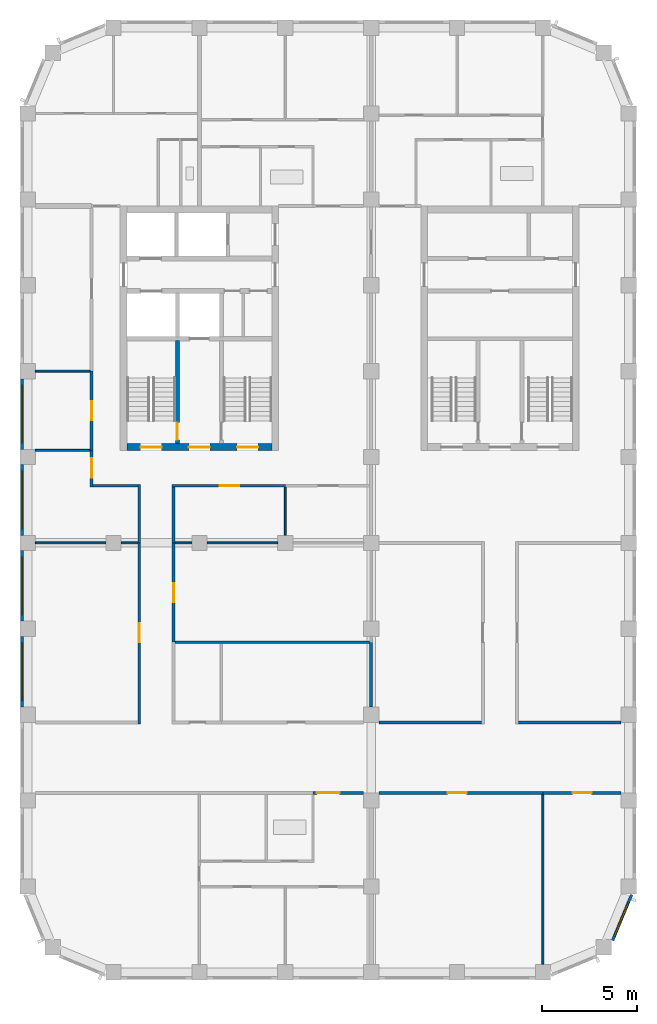
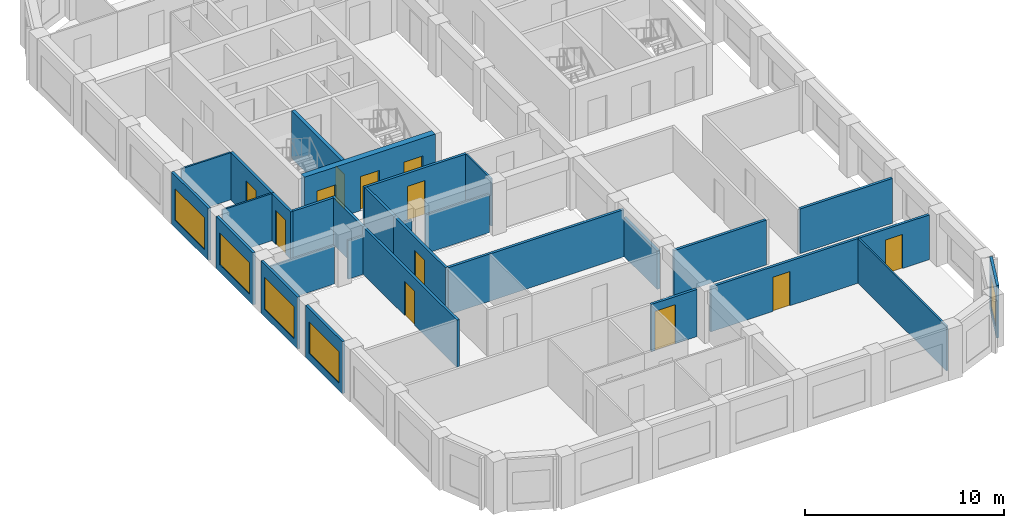
# One storey, part 3 of 9: 30 walls, 12 doors, 5 windows, 17 openings.
"""IFC4 building model written with IfcOpenShell, lengths in metres."""

from ifc_helpers import new_model, si_unit, direction, frame, frame_2d, origin, place, context, subcontext, project, spatial, rectangle, extrude, material, layer, layer_set, type_object, element, fill, save


model = new_model("IFC4")

# Units and contexts
model_context = context("Model", 3, precision=1e-05, world=origin(), true_north=direction((0.0, 1.0)))
body_context = subcontext(model_context, "Body", "Model", "MODEL_VIEW")
ifc_project = project(units=[si_unit("LENGTHUNIT", "METRE"), si_unit("AREAUNIT", "SQUARE_METRE"), si_unit("VOLUMEUNIT", "CUBIC_METRE"), si_unit("PLANEANGLEUNIT", "RADIAN"), si_unit("MASSUNIT", "GRAM", prefix="KILO")], contexts=[model_context])

# Site, building, storey
site_placement = place(None, origin())
site = spatial("IfcSite", under=ifc_project, at=site_placement, CompositionType="ELEMENT")
building_placement = place(site_placement, origin())
building = spatial("IfcBuilding", under=site, at=building_placement, Name="Girih Gate Residences", CompositionType="ELEMENT")
storey_placement = place(building_placement, frame((0.0, 0.0, 206.89501953125)))
storey = spatial("IfcBuildingStorey", under=building, at=storey_placement, Name="L57", CompositionType="ELEMENT", Elevation=206.89501953125)

# Wall, opening, door
ifc_material_1 = material(Name="Gypsum board on steel studs", Category="steel")
ifc_layer_1 = layer(ifc_material_1, 0.14990234375)
ifc_layer_set_1 = layer_set([ifc_layer_1], Name="Compartment wall 150 mm")
wall_type_1 = type_object("IfcWallType", Name="Compartment wall 150 mm", PredefinedType="PARTITIONING", material=ifc_layer_set_1)
wall_1_placement = place(storey_placement, frame((17.60009765625, 9.39990234375, 0.0), z_axis=(0.0, 0.0, 1.0), x_axis=(-1.0, 0.0, 0.0)))
wall_1 = element("IfcWall", 1, at=wall_1_placement, inside=storey, type_object=wall_type_1, Name="L57 partition", PredefinedType="PARTITIONING", context=body_context, shape_type="SweptSolid", body=[
    extrude(rectangle(XDim=2.650146484375, YDim=0.14990234375, at=frame_2d((1.3251953125, 0.0))), origin(), (0.0, 0.0, 1.0), 2.89990234375),
])
opening_1_placement = place(wall_1_placement, frame((1.25, 0.0, 0.0)))
opening_1 = element("IfcOpeningElement", 2, at=opening_1_placement, cuts=wall_1, Name="Opening A57-006", PredefinedType="OPENING", context=body_context, shape_type="SweptSolid", body=[
    extrude(rectangle(XDim=1.199951171875, YDim=2.39990234375, at=frame_2d((0.60009765625, 1.199951171875))), frame((0.0, 0.0849609375, 0.0), z_axis=(0.0, -1.0, 0.0), x_axis=(1.0, 0.0, 0.0)), (0.0, 0.0, 1.0), 0.169921875),
])
ifc_material_2 = material(Name="Timber, fire-rated core", Category="wood")
door_type_1 = type_object("IfcDoorType", Name="Villa entrance door 1200x2400 FD30S", OperationType="NOTDEFINED", PredefinedType="DOOR", material=ifc_material_2)
door_1_placement = place(opening_1_placement, origin())
door_1 = element("IfcDoor", 3, at=door_1_placement, inside=storey, type_object=door_type_1, Name="Door A57-006", OperationType="SINGLE_SWING_RIGHT", OverallHeight=2.39990234375, OverallWidth=1.199951171875, PredefinedType="DOOR", context=body_context, shape_type="SweptSolid", body=[
    extrude(rectangle(XDim=1.199951171875, YDim=2.39990234375, at=frame_2d((0.60009765625, 1.199951171875))), frame((0.0, 0.02490234375, 0.0), z_axis=(0.0, -1.0, 0.0), x_axis=(1.0, 0.0, 0.0)), (0.0, 0.0, 1.0), 0.050048828125),
])
fill(opening_1, door_1)

wall_2_placement = place(storey_placement, frame((7.64990234375, 22.5, 0.0), z_axis=(0.0, 0.0, 1.0), x_axis=(0.0, -1.0, 0.0)))
wall_2 = element("IfcWall", 4, at=wall_2_placement, inside=storey, type_object=wall_type_1, Name="L57 partition", PredefinedType="PARTITIONING", context=body_context, shape_type="SweptSolid", body=[
    extrude(rectangle(XDim=5.199951171875, YDim=0.14990234375, at=frame_2d((2.60009765625, 0.0))), origin(), (0.0, 0.0, 1.0), 2.89990234375),
])
opening_2_placement = place(wall_2_placement, frame((2.10009765625, 0.0, 0.0)))
opening_2 = element("IfcOpeningElement", 5, at=opening_2_placement, cuts=wall_2, Name="Opening A57-023", PredefinedType="OPENING", context=body_context, shape_type="SweptSolid", body=[
    extrude(rectangle(XDim=1.0, YDim=2.10009765625, at=frame_2d((0.5, 1.050048828125))), frame((0.0, 0.0849609375, 0.0), z_axis=(0.0, -1.0, 0.0), x_axis=(1.0, 0.0, 0.0)), (0.0, 0.0, 1.0), 0.169921875),
])
door_type_2 = type_object("IfcDoorType", Name="Amenity room door 1000x2100 FD30S", OperationType="NOTDEFINED", PredefinedType="DOOR", material=ifc_material_2)
door_2_placement = place(opening_2_placement, origin())
door_2 = element("IfcDoor", 6, at=door_2_placement, inside=storey, type_object=door_type_2, Name="Door A57-023", OperationType="SINGLE_SWING_RIGHT", OverallHeight=2.10009765625, OverallWidth=1.0, PredefinedType="DOOR", context=body_context, shape_type="SweptSolid", body=[
    extrude(rectangle(XDim=1.0, YDim=2.10009765625, at=frame_2d((0.5, 1.050048828125))), frame((0.0, 0.02490234375, 0.0), z_axis=(0.0, -1.0, 0.0), x_axis=(1.0, 0.0, 0.0)), (0.0, 0.0, 1.0), 0.050048828125),
])
fill(opening_2, door_2)

# Wall
wall_3_placement = place(storey_placement, frame((7.72509765625, 17.300048828125, 0.0), z_axis=(0.0, 0.0, 1.0), x_axis=(1.0, 0.0, 0.0)))
element("IfcWall", 7, at=wall_3_placement, inside=storey, type_object=wall_type_1, Name="L57 partition", PredefinedType="PARTITIONING", context=body_context, shape_type="SweptSolid", body=[
    extrude(rectangle(XDim=10.199951171875, YDim=0.14990234375, at=frame_2d((5.10009765625, 0.0))), origin(), (0.0, 0.0, 1.0), 2.89990234375),
])

# Wall, opening, door
wall_4_placement = place(storey_placement, frame((27.0, 9.39990234375, 0.0), z_axis=(0.0, 0.0, 1.0), x_axis=(-1.0, 0.0, 0.0)))
wall_4 = element("IfcWall", 8, at=wall_4_placement, inside=storey, type_object=wall_type_1, Name="L57 partition", PredefinedType="PARTITIONING", context=body_context, shape_type="SweptSolid", body=[
    extrude(rectangle(XDim=8.60009765625, YDim=0.14990234375, at=frame_2d((4.300048828125, 0.0))), origin(), (0.0, 0.0, 1.0), 2.75),
])
opening_3_placement = place(wall_4_placement, frame((4.0, 0.0, 0.0)))
opening_3 = element("IfcOpeningElement", 9, at=opening_3_placement, cuts=wall_4, Name="Opening A57-025", PredefinedType="OPENING", context=body_context, shape_type="SweptSolid", body=[
    extrude(rectangle(XDim=1.0, YDim=2.10009765625, at=frame_2d((0.5, 1.050048828125))), frame((0.0, 0.0849609375, 0.0), z_axis=(0.0, -1.0, 0.0), x_axis=(1.0, 0.0, 0.0)), (0.0, 0.0, 1.0), 0.169921875),
])
door_3_placement = place(opening_3_placement, origin())
door_3 = element("IfcDoor", 10, at=door_3_placement, inside=storey, type_object=door_type_2, Name="Door A57-025", OperationType="SINGLE_SWING_RIGHT", OverallHeight=2.10009765625, OverallWidth=1.0, PredefinedType="DOOR", context=body_context, shape_type="SweptSolid", body=[
    extrude(rectangle(XDim=1.0, YDim=2.10009765625, at=frame_2d((0.5, 1.050048828125))), frame((0.0, 0.02490234375, 0.0), z_axis=(0.0, -1.0, 0.0), x_axis=(1.0, 0.0, 0.0)), (0.0, 0.0, 1.0), 0.050048828125),
])
fill(opening_3, door_3)

wall_5_placement = place(storey_placement, frame((31.10009765625, 9.39990234375, 0.0), z_axis=(0.0, 0.0, 1.0), x_axis=(-1.0, 0.0, 0.0)))
wall_5 = element("IfcWall", 11, at=wall_5_placement, inside=storey, type_object=wall_type_1, Name="L57 partition", PredefinedType="PARTITIONING", context=body_context, shape_type="SweptSolid", body=[
    extrude(rectangle(XDim=4.10009765625, YDim=0.14990234375, at=frame_2d((2.050048828125, 0.0))), origin(), (0.0, 0.0, 1.0), 2.75),
])
opening_4_placement = place(wall_5_placement, frame((1.550048828125, 0.0, 0.0)))
opening_4 = element("IfcOpeningElement", 12, at=opening_4_placement, cuts=wall_5, Name="Opening A57-026", PredefinedType="OPENING", context=body_context, shape_type="SweptSolid", body=[
    extrude(rectangle(XDim=1.0, YDim=2.10009765625, at=frame_2d((0.5, 1.050048828125))), frame((0.0, 0.0849609375, 0.0), z_axis=(0.0, -1.0, 0.0), x_axis=(1.0, 0.0, 0.0)), (0.0, 0.0, 1.0), 0.169921875),
])
door_4_placement = place(opening_4_placement, origin())
door_4 = element("IfcDoor", 13, at=door_4_placement, inside=storey, type_object=door_type_2, Name="Door A57-026", OperationType="SINGLE_SWING_RIGHT", OverallHeight=2.10009765625, OverallWidth=1.0, PredefinedType="DOOR", context=body_context, shape_type="SweptSolid", body=[
    extrude(rectangle(XDim=1.0, YDim=2.10009765625, at=frame_2d((0.5, 1.050048828125))), frame((0.0, 0.02490234375, 0.0), z_axis=(0.0, -1.0, 0.0), x_axis=(1.0, 0.0, 0.0)), (0.0, 0.0, 1.0), 0.050048828125),
])
fill(opening_4, door_4)

# Walls
for number, where, z_axis, x_axis, name in (
    (14, (18.39990234375, 13.10009765625, 0.0), (0.0, 0.0, 1.0), (1.0, 0.0, 0.0), "L57 partition"),
    (15, (25.72509765625, 13.10009765625, 0.0), (0.0, 0.0, 1.0), (1.0, 0.0, 0.0), "L57 partition"),
):
    element("IfcWall", number, at=place(storey_placement, frame(where, z_axis=z_axis, x_axis=x_axis)), inside=storey, type_object=wall_type_1, Name=name, PredefinedType="PARTITIONING", context=body_context, shape_type="SweptSolid", body=[
        extrude(rectangle(XDim=5.375, YDim=0.14990234375, at=frame_2d((2.6875, 0.0))), origin(), (0.0, 0.0, 1.0), 2.75),
    ])
wall_6_placement = place(storey_placement, frame((18.0, 13.89990234375, 0.0), z_axis=(0.0, 0.0, 1.0), x_axis=(0.0, 1.0, 0.0)))
element("IfcWall", 16, at=wall_6_placement, inside=storey, type_object=wall_type_1, Name="L57 partition", PredefinedType="PARTITIONING", context=body_context, shape_type="SweptSolid", body=[
    extrude(rectangle(XDim=3.400146484375, YDim=0.14990234375, at=frame_2d((1.7001953125, 0.0))), origin(), (0.0, 0.0, 1.0), 2.3798828125),
])
wall_7_placement = place(storey_placement, frame((5.85009765625, 22.5, 0.0), z_axis=(0.0, 0.0, 1.0), x_axis=(0.0, 1.0, 0.0)))
element("IfcWall", 17, at=wall_7_placement, inside=storey, type_object=wall_type_1, Name="L57 partition", PredefinedType="PARTITIONING", context=body_context, shape_type="SweptSolid", body=[
    extrude(rectangle(XDim=3.074951171875, YDim=0.14990234375, at=frame_2d((1.53759765625, 0.0))), origin(), (0.0, 0.0, 1.0), 2.89990234375),
])
wall_8_placement = place(storey_placement, frame((3.425048828125, 25.5, 0.0), z_axis=(0.0, 0.0, 1.0), x_axis=(1.0, 0.0, 0.0)))
element("IfcWall", 18, at=wall_8_placement, inside=storey, type_object=wall_type_1, Name="L57 partition", PredefinedType="PARTITIONING", context=body_context, shape_type="SweptSolid", body=[
    extrude(rectangle(XDim=2.349853515625, YDim=0.14990234375, at=frame_2d((1.1748046875, 0.0))), origin(), (0.0, 0.0, 1.0), 2.89990234375),
])

# Wall, opening, door
wall_9_placement = place(storey_placement, frame((3.35009765625, 25.425048828125, 0.0), z_axis=(0.0, 0.0, 1.0), x_axis=(0.0, 1.0, 0.0)))
wall_9 = element("IfcWall", 19, at=wall_9_placement, inside=storey, type_object=wall_type_1, Name="L57 partition", PredefinedType="PARTITIONING", context=body_context, shape_type="SweptSolid", body=[
    extrude(rectangle(XDim=1.925048828125, YDim=0.14990234375, at=frame_2d((0.96240234375, 0.0))), origin(), (0.0, 0.0, 1.0), 2.89990234375),
])
opening_5_placement = place(wall_9_placement, frame((0.5, 0.0, 0.0)))
opening_5 = element("IfcOpeningElement", 20, at=opening_5_placement, cuts=wall_9, Name="Opening A57-031", PredefinedType="OPENING", context=body_context, shape_type="SweptSolid", body=[
    extrude(rectangle(XDim=1.0, YDim=2.10009765625, at=frame_2d((0.5, 1.050048828125))), frame((0.0, 0.0849609375, 0.0), z_axis=(0.0, -1.0, 0.0), x_axis=(1.0, 0.0, 0.0)), (0.0, 0.0, 1.0), 0.169921875),
])
door_5_placement = place(opening_5_placement, origin())
door_5 = element("IfcDoor", 21, at=door_5_placement, inside=storey, type_object=door_type_2, Name="Door A57-031", OperationType="SINGLE_SWING_RIGHT", OverallHeight=2.10009765625, OverallWidth=1.0, PredefinedType="DOOR", context=body_context, shape_type="SweptSolid", body=[
    extrude(rectangle(XDim=1.0, YDim=2.10009765625, at=frame_2d((0.5, 1.050048828125))), frame((0.0, 0.02490234375, 0.0), z_axis=(0.0, -1.0, 0.0), x_axis=(1.0, 0.0, 0.0)), (0.0, 0.0, 1.0), 0.050048828125),
])
fill(opening_5, door_5)

wall_10_placement = place(storey_placement, frame((13.5, 25.5, 0.0), z_axis=(0.0, 0.0, 1.0), x_axis=(-1.0, 0.0, 0.0)))
wall_10 = element("IfcWall", 22, at=wall_10_placement, inside=storey, type_object=wall_type_1, Name="L57 partition", PredefinedType="PARTITIONING", context=body_context, shape_type="SweptSolid", body=[
    extrude(rectangle(XDim=5.925048828125, YDim=0.14990234375, at=frame_2d((2.96240234375, 0.0))), origin(), (0.0, 0.0, 1.0), 2.89990234375),
])
opening_6_placement = place(wall_10_placement, frame((2.425048828125, 0.0, 0.0)))
opening_6 = element("IfcOpeningElement", 23, at=opening_6_placement, cuts=wall_10, Name="Opening A57-032", PredefinedType="OPENING", context=body_context, shape_type="SweptSolid", body=[
    extrude(rectangle(XDim=1.0, YDim=2.10009765625, at=frame_2d((0.5, 1.050048828125))), frame((0.0, 0.0849609375, 0.0), z_axis=(0.0, -1.0, 0.0), x_axis=(1.0, 0.0, 0.0)), (0.0, 0.0, 1.0), 0.169921875),
])
door_6_placement = place(opening_6_placement, origin())
door_6 = element("IfcDoor", 24, at=door_6_placement, inside=storey, type_object=door_type_2, Name="Door A57-032", OperationType="SINGLE_SWING_LEFT", OverallHeight=2.10009765625, OverallWidth=1.0, PredefinedType="DOOR", context=body_context, shape_type="SweptSolid", body=[
    extrude(rectangle(XDim=1.0, YDim=2.10009765625, at=frame_2d((0.5, 1.050048828125))), frame((0.0, 0.02490234375, 0.0), z_axis=(0.0, -1.0, 0.0), x_axis=(1.0, 0.0, 0.0)), (0.0, 0.0, 1.0), 0.050048828125),
])
fill(opening_6, door_6)

# Wall
wall_11_placement = place(storey_placement, frame((7.64990234375, 22.5, 0.0), z_axis=(0.0, 0.0, 1.0), x_axis=(0.0, 1.0, 0.0)))
element("IfcWall", 25, at=wall_11_placement, inside=storey, type_object=wall_type_1, Name="L57 partition", PredefinedType="PARTITIONING", context=body_context, shape_type="SweptSolid", body=[
    extrude(rectangle(XDim=2.925048828125, YDim=0.14990234375, at=frame_2d((1.46240234375, 0.0))), origin(), (0.0, 0.0, 1.0), 2.89990234375),
])

# Wall, opening, door
wall_12_placement = place(storey_placement, frame((3.35009765625, 27.35009765625, 0.0), z_axis=(0.0, 0.0, 1.0), x_axis=(0.0, 1.0, 0.0)))
wall_12 = element("IfcWall", 26, at=wall_12_placement, inside=storey, type_object=wall_type_1, Name="L57 partition", PredefinedType="PARTITIONING", context=body_context, shape_type="SweptSolid", body=[
    extrude(rectangle(XDim=4.14990234375, YDim=0.14990234375, at=frame_2d((2.074951171875, 0.0))), origin(), (0.0, 0.0, 1.0), 2.89990234375),
])
opening_7_placement = place(wall_12_placement, frame((1.574951171875, 0.0, 0.0)))
opening_7 = element("IfcOpeningElement", 27, at=opening_7_placement, cuts=wall_12, Name="Opening A57-034", PredefinedType="OPENING", context=body_context, shape_type="SweptSolid", body=[
    extrude(rectangle(XDim=1.0, YDim=2.10009765625, at=frame_2d((0.5, 1.050048828125))), frame((0.0, 0.0849609375, 0.0), z_axis=(0.0, -1.0, 0.0), x_axis=(1.0, 0.0, 0.0)), (0.0, 0.0, 1.0), 0.169921875),
])
door_7_placement = place(opening_7_placement, origin())
door_7 = element("IfcDoor", 28, at=door_7_placement, inside=storey, type_object=door_type_2, Name="Door A57-034", OperationType="SINGLE_SWING_RIGHT", OverallHeight=2.10009765625, OverallWidth=1.0, PredefinedType="DOOR", context=body_context, shape_type="SweptSolid", body=[
    extrude(rectangle(XDim=1.0, YDim=2.10009765625, at=frame_2d((0.5, 1.050048828125))), frame((0.0, 0.02490234375, 0.0), z_axis=(0.0, -1.0, 0.0), x_axis=(1.0, 0.0, 0.0)), (0.0, 0.0, 1.0), 0.050048828125),
])
fill(opening_7, door_7)

wall_13_placement = place(storey_placement, frame((5.85009765625, 13.02490234375, 0.0), z_axis=(0.0, 0.0, 1.0), x_axis=(0.0, 1.0, 0.0)))
wall_13 = element("IfcWall", 29, at=wall_13_placement, inside=storey, type_object=wall_type_1, Name="L57 partition", PredefinedType="PARTITIONING", context=body_context, shape_type="SweptSolid", body=[
    extrude(rectangle(XDim=9.47509765625, YDim=0.14990234375, at=frame_2d((4.737548828125, 0.0))), origin(), (0.0, 0.0, 1.0), 2.89990234375),
])
opening_8_placement = place(wall_13_placement, frame((4.27490234375, 0.0, 0.0)))
opening_8 = element("IfcOpeningElement", 30, at=opening_8_placement, cuts=wall_13, Name="Opening A57-036", PredefinedType="OPENING", context=body_context, shape_type="SweptSolid", body=[
    extrude(rectangle(XDim=1.0, YDim=2.10009765625, at=frame_2d((0.5, 1.050048828125))), frame((0.0, 0.0849609375, 0.0), z_axis=(0.0, -1.0, 0.0), x_axis=(1.0, 0.0, 0.0)), (0.0, 0.0, 1.0), 0.169921875),
])
door_8_placement = place(opening_8_placement, origin())
door_8 = element("IfcDoor", 31, at=door_8_placement, inside=storey, type_object=door_type_2, Name="Door A57-036", OperationType="SINGLE_SWING_RIGHT", OverallHeight=2.10009765625, OverallWidth=1.0, PredefinedType="DOOR", context=body_context, shape_type="SweptSolid", body=[
    extrude(rectangle(XDim=1.0, YDim=2.10009765625, at=frame_2d((0.5, 1.050048828125))), frame((0.0, 0.02490234375, 0.0), z_axis=(0.0, -1.0, 0.0), x_axis=(1.0, 0.0, 0.0)), (0.0, 0.0, 1.0), 0.050048828125),
])
fill(opening_8, door_8)

# Wall, openings, doors
ifc_material_3 = material(Name="Concrete C60/75", Category="concrete")
ifc_layer_2 = layer(ifc_material_3, 0.35009765625)
ifc_layer_set_2 = layer_set([ifc_layer_2], Name="Core wall RC 350 Concrete C60/75")
wall_type_2 = type_object("IfcWallType", Name="Core wall RC 350 Concrete C60/75", PredefinedType="SOLIDWALL", material=ifc_layer_set_2)
wall_14_placement = place(storey_placement, frame((5.199951171875, 27.52490234375, 0.0), z_axis=(0.0, 0.0, 1.0), x_axis=(1.0, 0.0, 0.0)))
wall_14 = element("IfcWall", 32, at=wall_14_placement, inside=storey, type_object=wall_type_2, Name="Core wall W-S L57", PredefinedType="SOLIDWALL", context=body_context, shape_type="SweptSolid", body=[
    extrude(rectangle(XDim=7.60009765625, YDim=0.35009765625, at=frame_2d((3.800048828125, 0.0))), origin(), (0.0, 0.0, 1.0), 3.199951171875),
])
opening_9_placement = place(wall_14_placement, frame((0.72509765625, 0.0, 0.0)))
opening_9 = element("IfcOpeningElement", 33, at=opening_9_placement, cuts=wall_14, Name="Opening D-L57-W-009", PredefinedType="OPENING", context=body_context, shape_type="SweptSolid", body=[
    extrude(rectangle(XDim=1.10009765625, YDim=2.10009765625, at=frame_2d((0.550048828125, 1.050048828125))), frame((0.0, 0.18505859375, 0.0), z_axis=(0.0, -1.0, 0.0), x_axis=(1.0, 0.0, 0.0)), (0.0, 0.0, 1.0), 0.3701171875),
])
opening_10_placement = place(wall_14_placement, frame((3.25, 0.0, 0.0)))
opening_10 = element("IfcOpeningElement", 34, at=opening_10_placement, cuts=wall_14, Name="Opening D-L57-W-010", PredefinedType="OPENING", context=body_context, shape_type="SweptSolid", body=[
    extrude(rectangle(XDim=1.10009765625, YDim=2.10009765625, at=frame_2d((0.550048828125, 1.050048828125))), frame((0.0, 0.18505859375, 0.0), z_axis=(0.0, -1.0, 0.0), x_axis=(1.0, 0.0, 0.0)), (0.0, 0.0, 1.0), 0.3701171875),
])
opening_11_placement = place(wall_14_placement, frame((5.77490234375, 0.0, 0.0)))
opening_11 = element("IfcOpeningElement", 35, at=opening_11_placement, cuts=wall_14, Name="Opening D-L57-W-011", PredefinedType="OPENING", context=body_context, shape_type="SweptSolid", body=[
    extrude(rectangle(XDim=1.10009765625, YDim=2.10009765625, at=frame_2d((0.550048828125, 1.050048828125))), frame((0.0, 0.18505859375, 0.0), z_axis=(0.0, -1.0, 0.0), x_axis=(1.0, 0.0, 0.0)), (0.0, 0.0, 1.0), 0.3701171875),
])
ifc_material_4 = material(Name="Painted steel, fire-resisting", Category="steel")
door_type_3 = type_object("IfcDoorType", Name="Fire door 1100x2100", OperationType="SINGLE_SWING_LEFT", PredefinedType="DOOR", material=ifc_material_4)
door_9_placement = place(opening_9_placement, origin())
door_9 = element("IfcDoor", 36, at=door_9_placement, inside=storey, type_object=door_type_3, Name="L57 W core door sta-out", OperationType="SINGLE_SWING_LEFT", OverallHeight=2.10009765625, OverallWidth=1.10009765625, PredefinedType="DOOR", context=body_context, shape_type="SweptSolid", body=[
    extrude(rectangle(XDim=1.10009765625, YDim=2.10009765625, at=frame_2d((0.550048828125, 1.050048828125))), frame((0.0, 0.02490234375, 0.0), z_axis=(0.0, -1.0, 0.0), x_axis=(1.0, 0.0, 0.0)), (0.0, 0.0, 1.0), 0.050048828125),
])
fill(opening_9, door_9)
door_10_placement = place(opening_10_placement, origin())
door_10 = element("IfcDoor", 37, at=door_10_placement, inside=storey, type_object=door_type_3, Name="L57 W core door ffl-out", OperationType="SINGLE_SWING_LEFT", OverallHeight=2.10009765625, OverallWidth=1.10009765625, PredefinedType="DOOR", context=body_context, shape_type="SweptSolid", body=[
    extrude(rectangle(XDim=1.10009765625, YDim=2.10009765625, at=frame_2d((0.550048828125, 1.050048828125))), frame((0.0, 0.02490234375, 0.0), z_axis=(0.0, -1.0, 0.0), x_axis=(1.0, 0.0, 0.0)), (0.0, 0.0, 1.0), 0.050048828125),
])
fill(opening_10, door_10)
door_11_placement = place(opening_11_placement, origin())
door_11 = element("IfcDoor", 38, at=door_11_placement, inside=storey, type_object=door_type_3, Name="L57 W core door stb-out", OperationType="SINGLE_SWING_LEFT", OverallHeight=2.10009765625, OverallWidth=1.10009765625, PredefinedType="DOOR", context=body_context, shape_type="SweptSolid", body=[
    extrude(rectangle(XDim=1.10009765625, YDim=2.10009765625, at=frame_2d((0.550048828125, 1.050048828125))), frame((0.0, 0.02490234375, 0.0), z_axis=(0.0, -1.0, 0.0), x_axis=(1.0, 0.0, 0.0)), (0.0, 0.0, 1.0), 0.050048828125),
])
fill(opening_11, door_11)

# Walls
ifc_layer_3 = layer(ifc_material_1, 0.10009765625)
ifc_layer_set_3 = layer_set([ifc_layer_3], Name="Partition 100 mm")
wall_type_3 = type_object("IfcWallType", Name="Partition 100 mm", PredefinedType="PARTITIONING", material=ifc_layer_set_3)
wall_15_placement = place(storey_placement, frame((7.72509765625, 22.5, 0.0), z_axis=(0.0, 0.0, 1.0), x_axis=(1.0, 0.0, 0.0)))
element("IfcWall", 39, at=wall_15_placement, inside=storey, type_object=wall_type_3, Name="L57 partition", PredefinedType="PARTITIONING", context=body_context, shape_type="SweptSolid", body=[
    extrude(rectangle(XDim=0.875, YDim=0.10009765625, at=frame_2d((0.4375, 0.0))), origin(), (0.0, 0.0, 1.0), 2.3798828125),
])
wall_16_placement = place(storey_placement, frame((9.39990234375, 22.5, 0.0), z_axis=(0.0, 0.0, 1.0), x_axis=(1.0, 0.0, 0.0)))
element("IfcWall", 40, at=wall_16_placement, inside=storey, type_object=wall_type_3, Name="L57 partition", PredefinedType="PARTITIONING", context=body_context, shape_type="SweptSolid", body=[
    extrude(rectangle(XDim=3.7001953125, YDim=0.10009765625, at=frame_2d((1.85009765625, 0.0))), origin(), (0.0, 0.0, 1.0), 2.3798828125),
])
wall_17_placement = place(storey_placement, frame((27.0, 0.432861328125, 0.0), z_axis=(0.0, 0.0, 1.0), x_axis=(0.0, 1.0, 0.0)))
element("IfcWall", 41, at=wall_17_placement, inside=storey, type_object=wall_type_3, Name="L57 partition", PredefinedType="PARTITIONING", context=body_context, shape_type="SweptSolid", body=[
    extrude(rectangle(XDim=8.89208984375, YDim=0.10009765625, at=frame_2d((4.446044921875, 0.0))), origin(), (0.0, 0.0, 1.0), 2.75),
])
wall_18_placement = place(storey_placement, frame((0.39990234375, 27.35009765625, 0.0), z_axis=(0.0, 0.0, 1.0), x_axis=(1.0, 0.0, 0.0)))
element("IfcWall", 42, at=wall_18_placement, inside=storey, type_object=wall_type_3, Name="L57 partition", PredefinedType="PARTITIONING", context=body_context, shape_type="SweptSolid", body=[
    extrude(rectangle(XDim=2.875, YDim=0.10009765625, at=frame_2d((1.4375, 0.0))), origin(), (0.0, 0.0, 1.0), 2.89990234375),
])
wall_19_placement = place(storey_placement, frame((4.89990234375, 22.5, 0.0), z_axis=(0.0, 0.0, 1.0), x_axis=(1.0, 0.0, 0.0)))
element("IfcWall", 43, at=wall_19_placement, inside=storey, type_object=wall_type_3, Name="L57 partition", PredefinedType="PARTITIONING", context=body_context, shape_type="SweptSolid", body=[
    extrude(rectangle(XDim=0.875, YDim=0.10009765625, at=frame_2d((0.4375, 0.0))), origin(), (0.0, 0.0, 1.0), 2.3798828125),
])
wall_20_placement = place(storey_placement, frame((0.39990234375, 22.5, 0.0), z_axis=(0.0, 0.0, 1.0), x_axis=(1.0, 0.0, 0.0)))
element("IfcWall", 44, at=wall_20_placement, inside=storey, type_object=wall_type_3, Name="L57 partition", PredefinedType="PARTITIONING", context=body_context, shape_type="SweptSolid", body=[
    extrude(rectangle(XDim=3.7001953125, YDim=0.10009765625, at=frame_2d((1.85009765625, 0.0))), origin(), (0.0, 0.0, 1.0), 2.3798828125),
])
wall_21_placement = place(storey_placement, frame((13.5, 22.89990234375, 0.0), z_axis=(0.0, 0.0, 1.0), x_axis=(0.0, 1.0, 0.0)))
element("IfcWall", 45, at=wall_21_placement, inside=storey, type_object=wall_type_3, Name="L57 partition", PredefinedType="PARTITIONING", context=body_context, shape_type="SweptSolid", body=[
    extrude(rectangle(XDim=2.525146484375, YDim=0.10009765625, at=frame_2d((1.2626953125, 0.0))), origin(), (0.0, 0.0, 1.0), 2.89990234375),
])
wall_22_placement = place(storey_placement, frame((0.39990234375, 31.5, 0.0), z_axis=(0.0, 0.0, 1.0), x_axis=(1.0, 0.0, 0.0)))
element("IfcWall", 46, at=wall_22_placement, inside=storey, type_object=wall_type_3, Name="L57 partition", PredefinedType="PARTITIONING", context=body_context, shape_type="SweptSolid", body=[
    extrude(rectangle(XDim=2.875, YDim=0.10009765625, at=frame_2d((1.4375, 0.0))), origin(), (0.0, 0.0, 1.0), 2.89990234375),
])

# Wall, opening, window
ifc_material_5 = material(Name="Precast concrete C50/60", Category="concrete")
ifc_layer_4 = layer(ifc_material_5, 0.050048828125, Name="Outer leaf")
ifc_material_6 = material(Name="Rigid PIR insulation")
ifc_layer_5 = layer(ifc_material_6, 0.06005859375, Name="Insulation")
ifc_material_7 = material(Name="Precast concrete C40/50", Category="concrete")
ifc_layer_6 = layer(ifc_material_7, 0.0400390625, Name="Inner leaf")
ifc_layer_set_4 = layer_set([ifc_layer_4, ifc_layer_5, ifc_layer_6], Name="Precast concrete C50/60 external wall 150")
wall_type_4 = type_object("IfcWallType", Name="Precast concrete C50/60 external wall 150", PredefinedType="SOLIDWALL", material=ifc_layer_set_4)
wall_23_placement = place(storey_placement, frame((31.647216796875, 4.0712890625, 0.0), z_axis=(0.0, 0.0, 1.0), x_axis=(-0.382669406082, -0.923885342263, 0.0)))
wall_23 = element("IfcWall", 47, at=wall_23_placement, inside=storey, type_object=wall_type_4, Name="External wall SE0302_0013.0", PredefinedType="SOLIDWALL", context=body_context, shape_type="SweptSolid", body=[
    extrude(rectangle(XDim=2.602294921875, YDim=0.14990234375, at=frame_2d((1.30126953125, 0.0))), origin(), (0.0, 0.0, 1.0), 3.199951171875),
])
opening_12_placement = place(wall_23_placement, frame((0.432373046875, 0.0, 0.449951171875)))
opening_12 = element("IfcOpeningElement", 48, at=opening_12_placement, cuts=wall_23, Name="Opening W-2G", PredefinedType="OPENING", context=body_context, shape_type="SweptSolid", body=[
    extrude(rectangle(XDim=1.89990234375, YDim=1.949951171875, at=frame_2d((0.949951171875, 0.97509765625))), frame((0.0, 0.0849609375, 0.0), z_axis=(0.0, -1.0, 0.0), x_axis=(1.0, 0.0, 0.0)), (0.0, 0.0, 1.0), 0.169921875),
])
ifc_material_8 = material(Name="Double glazing in aluminium frame", Category="aluminium")
window_type_1 = type_object("IfcWindowType", Name="Window W-2G 1900x1950", PartitioningType="SINGLE_PANEL", PredefinedType="WINDOW", material=ifc_material_8)
window_1_placement = place(opening_12_placement, origin())
window_1 = element("IfcWindow", 49, at=window_1_placement, inside=storey, type_object=window_type_1, Name="Window W-2G SE0302_0013.0", OverallHeight=1.949951171875, OverallWidth=1.89990234375, PartitioningType="SINGLE_PANEL", PredefinedType="WINDOW", context=body_context, shape_type="SweptSolid", body=[
    extrude(rectangle(XDim=1.89990234375, YDim=1.949951171875, at=frame_2d((0.949951171875, 0.97509765625))), frame((0.0, 0.030029296875, 0.0), z_axis=(0.0, -1.0, 0.0), x_axis=(1.0, 0.0, 0.0)), (0.0, 0.0, 1.0), 0.06005859375),
])
fill(opening_12, window_1)

wall_24_placement = place(storey_placement, frame((-0.300048828125, 27.39990234375, 0.0), z_axis=(0.0, 0.0, 1.0), x_axis=(0.0, 1.0, 0.0)))
wall_24 = element("IfcWall", 50, at=wall_24_placement, inside=storey, type_object=wall_type_4, Name="External wall W0000_0450.3", PredefinedType="SOLIDWALL", context=body_context, shape_type="SweptSolid", body=[
    extrude(rectangle(XDim=3.7001953125, YDim=0.14990234375, at=frame_2d((1.85009765625, 0.0))), origin(), (0.0, 0.0, 1.0), 3.199951171875),
])
opening_13_placement = place(wall_24_placement, frame((0.35009765625, 0.0, 0.449951171875)))
opening_13 = element("IfcOpeningElement", 51, at=opening_13_placement, cuts=wall_24, Name="Opening W-1D", PredefinedType="OPENING", context=body_context, shape_type="SweptSolid", body=[
    extrude(rectangle(XDim=3.0, YDim=1.949951171875, at=frame_2d((1.5, 0.97509765625))), frame((0.0, 0.0849609375, 0.0), z_axis=(0.0, -1.0, 0.0), x_axis=(1.0, 0.0, 0.0)), (0.0, 0.0, 1.0), 0.169921875),
])
window_type_2 = type_object("IfcWindowType", Name="Window W-1D 3000x1950", PartitioningType="SINGLE_PANEL", PredefinedType="WINDOW", material=ifc_material_8)
window_2_placement = place(opening_13_placement, origin())
window_2 = element("IfcWindow", 52, at=window_2_placement, inside=storey, type_object=window_type_2, Name="Window W-1D W0000_0450.3", OverallHeight=1.949951171875, OverallWidth=3.0, PartitioningType="SINGLE_PANEL", PredefinedType="WINDOW", context=body_context, shape_type="SweptSolid", body=[
    extrude(rectangle(XDim=3.0, YDim=1.949951171875, at=frame_2d((1.5, 0.97509765625))), frame((0.0, 0.030029296875, 0.0), z_axis=(0.0, -1.0, 0.0), x_axis=(1.0, 0.0, 0.0)), (0.0, 0.0, 1.0), 0.06005859375),
])
fill(opening_13, window_2)

wall_25_placement = place(storey_placement, frame((-0.300048828125, 22.89990234375, 0.0), z_axis=(0.0, 0.0, 1.0), x_axis=(0.0, 1.0, 0.0)))
wall_25 = element("IfcWall", 53, at=wall_25_placement, inside=storey, type_object=wall_type_4, Name="External wall W0000_0450.4", PredefinedType="SOLIDWALL", context=body_context, shape_type="SweptSolid", body=[
    extrude(rectangle(XDim=3.7001953125, YDim=0.14990234375, at=frame_2d((1.85009765625, 0.0))), origin(), (0.0, 0.0, 1.0), 3.199951171875),
])
opening_14_placement = place(wall_25_placement, frame((0.35009765625, 0.0, 0.449951171875)))
opening_14 = element("IfcOpeningElement", 54, at=opening_14_placement, cuts=wall_25, Name="Opening W-1D", PredefinedType="OPENING", context=body_context, shape_type="SweptSolid", body=[
    extrude(rectangle(XDim=3.0, YDim=1.949951171875, at=frame_2d((1.5, 0.97509765625))), frame((0.0, 0.0849609375, 0.0), z_axis=(0.0, -1.0, 0.0), x_axis=(1.0, 0.0, 0.0)), (0.0, 0.0, 1.0), 0.169921875),
])
window_3_placement = place(opening_14_placement, origin())
window_3 = element("IfcWindow", 55, at=window_3_placement, inside=storey, type_object=window_type_2, Name="Window W-1D W0000_0450.4", OverallHeight=1.949951171875, OverallWidth=3.0, PartitioningType="SINGLE_PANEL", PredefinedType="WINDOW", context=body_context, shape_type="SweptSolid", body=[
    extrude(rectangle(XDim=3.0, YDim=1.949951171875, at=frame_2d((1.5, 0.97509765625))), frame((0.0, 0.030029296875, 0.0), z_axis=(0.0, -1.0, 0.0), x_axis=(1.0, 0.0, 0.0)), (0.0, 0.0, 1.0), 0.06005859375),
])
fill(opening_14, window_3)

wall_26_placement = place(storey_placement, frame((-0.300048828125, 18.39990234375, 0.0), z_axis=(0.0, 0.0, 1.0), x_axis=(0.0, 1.0, 0.0)))
wall_26 = element("IfcWall", 56, at=wall_26_placement, inside=storey, type_object=wall_type_4, Name="External wall W0000_0450.5", PredefinedType="SOLIDWALL", context=body_context, shape_type="SweptSolid", body=[
    extrude(rectangle(XDim=3.7001953125, YDim=0.14990234375, at=frame_2d((1.85009765625, 0.0))), origin(), (0.0, 0.0, 1.0), 3.199951171875),
])
opening_15_placement = place(wall_26_placement, frame((0.35009765625, 0.0, 0.449951171875)))
opening_15 = element("IfcOpeningElement", 57, at=opening_15_placement, cuts=wall_26, Name="Opening W-1D", PredefinedType="OPENING", context=body_context, shape_type="SweptSolid", body=[
    extrude(rectangle(XDim=3.0, YDim=1.949951171875, at=frame_2d((1.5, 0.97509765625))), frame((0.0, 0.0849609375, 0.0), z_axis=(0.0, -1.0, 0.0), x_axis=(1.0, 0.0, 0.0)), (0.0, 0.0, 1.0), 0.169921875),
])
window_4_placement = place(opening_15_placement, origin())
window_4 = element("IfcWindow", 58, at=window_4_placement, inside=storey, type_object=window_type_2, Name="Window W-1D W0000_0450.5", OverallHeight=1.949951171875, OverallWidth=3.0, PartitioningType="SINGLE_PANEL", PredefinedType="WINDOW", context=body_context, shape_type="SweptSolid", body=[
    extrude(rectangle(XDim=3.0, YDim=1.949951171875, at=frame_2d((1.5, 0.97509765625))), frame((0.0, 0.030029296875, 0.0), z_axis=(0.0, -1.0, 0.0), x_axis=(1.0, 0.0, 0.0)), (0.0, 0.0, 1.0), 0.06005859375),
])
fill(opening_15, window_4)

wall_27_placement = place(storey_placement, frame((-0.300048828125, 13.89990234375, 0.0), z_axis=(0.0, 0.0, 1.0), x_axis=(0.0, 1.0, 0.0)))
wall_27 = element("IfcWall", 59, at=wall_27_placement, inside=storey, type_object=wall_type_4, Name="External wall W0000_0450.6", PredefinedType="SOLIDWALL", context=body_context, shape_type="SweptSolid", body=[
    extrude(rectangle(XDim=3.7001953125, YDim=0.14990234375, at=frame_2d((1.85009765625, 0.0))), origin(), (0.0, 0.0, 1.0), 3.199951171875),
])
opening_16_placement = place(wall_27_placement, frame((0.35009765625, 0.0, 0.449951171875)))
opening_16 = element("IfcOpeningElement", 60, at=opening_16_placement, cuts=wall_27, Name="Opening W-1D", PredefinedType="OPENING", context=body_context, shape_type="SweptSolid", body=[
    extrude(rectangle(XDim=3.0, YDim=1.949951171875, at=frame_2d((1.5, 0.97509765625))), frame((0.0, 0.0849609375, 0.0), z_axis=(0.0, -1.0, 0.0), x_axis=(1.0, 0.0, 0.0)), (0.0, 0.0, 1.0), 0.169921875),
])
window_5_placement = place(opening_16_placement, origin())
window_5 = element("IfcWindow", 61, at=window_5_placement, inside=storey, type_object=window_type_2, Name="Window W-1D W0000_0450.6", OverallHeight=1.949951171875, OverallWidth=3.0, PartitioningType="SINGLE_PANEL", PredefinedType="WINDOW", context=body_context, shape_type="SweptSolid", body=[
    extrude(rectangle(XDim=3.0, YDim=1.949951171875, at=frame_2d((1.5, 0.97509765625))), frame((0.0, 0.030029296875, 0.0), z_axis=(0.0, -1.0, 0.0), x_axis=(1.0, 0.0, 0.0)), (0.0, 0.0, 1.0), 0.06005859375),
])
fill(opening_16, window_5)

# Wall, opening, door
ifc_material_9 = material(Name="Concrete C40/50", Category="concrete")
ifc_layer_7 = layer(ifc_material_9, 0.199951171875)
ifc_layer_set_5 = layer_set([ifc_layer_7], Name="Shaft wall 200")
wall_type_5 = type_object("IfcWallType", Name="Shaft wall 200", PredefinedType="SOLIDWALL", material=ifc_layer_set_5)
wall_28_placement = place(storey_placement, frame((7.85009765625, 27.699951171875, 0.0), z_axis=(0.0, 0.0, 1.0), x_axis=(0.0, 1.0, 0.0)))
wall_28 = element("IfcWall", 62, at=wall_28_placement, inside=storey, type_object=wall_type_5, Name="L57 W core wall V1a", PredefinedType="SOLIDWALL", context=body_context, shape_type="SweptSolid", body=[
    extrude(rectangle(XDim=5.400146484375, YDim=0.199951171875, at=frame_2d((2.7001953125, 0.0))), origin(), (0.0, 0.0, 1.0), 2.89990234375),
])
opening_17_placement = place(wall_28_placement, frame((0.199951171875, 0.0, 0.0)))
opening_17 = element("IfcOpeningElement", 63, at=opening_17_placement, cuts=wall_28, Name="Opening D-L57-W-001", PredefinedType="OPENING", context=body_context, shape_type="SweptSolid", body=[
    extrude(rectangle(XDim=0.89990234375, YDim=2.10009765625, at=frame_2d((0.449951171875, 1.050048828125))), frame((0.0, 0.10986328125, 0.0), z_axis=(0.0, -1.0, 0.0), x_axis=(1.0, 0.0, 0.0)), (0.0, 0.0, 1.0), 0.219970703125),
])
door_type_4 = type_object("IfcDoorType", Name="Fire door 900x2100", OperationType="SINGLE_SWING_LEFT", PredefinedType="DOOR", material=ifc_material_4)
door_12_placement = place(opening_17_placement, origin())
door_12 = element("IfcDoor", 64, at=door_12_placement, inside=storey, type_object=door_type_4, Name="L57 W door stair 1 to firefighting lobby", OperationType="SINGLE_SWING_LEFT", OverallHeight=2.10009765625, OverallWidth=0.89990234375, PredefinedType="DOOR", context=body_context, shape_type="SweptSolid", body=[
    extrude(rectangle(XDim=0.89990234375, YDim=2.10009765625, at=frame_2d((0.449951171875, 1.050048828125))), frame((0.0, 0.02490234375, 0.0), z_axis=(0.0, -1.0, 0.0), x_axis=(1.0, 0.0, 0.0)), (0.0, 0.0, 1.0), 0.050048828125),
])
fill(opening_17, door_12)

save(model, "model.ifc")
